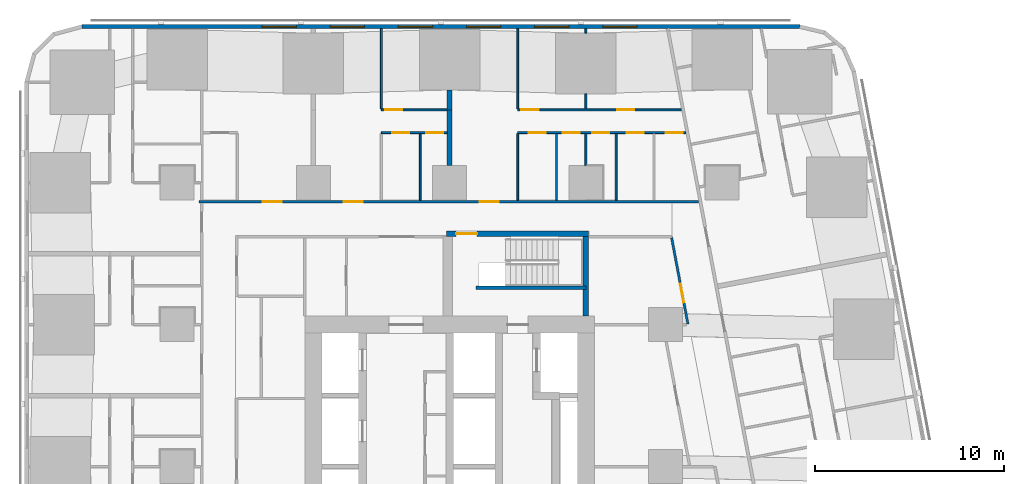
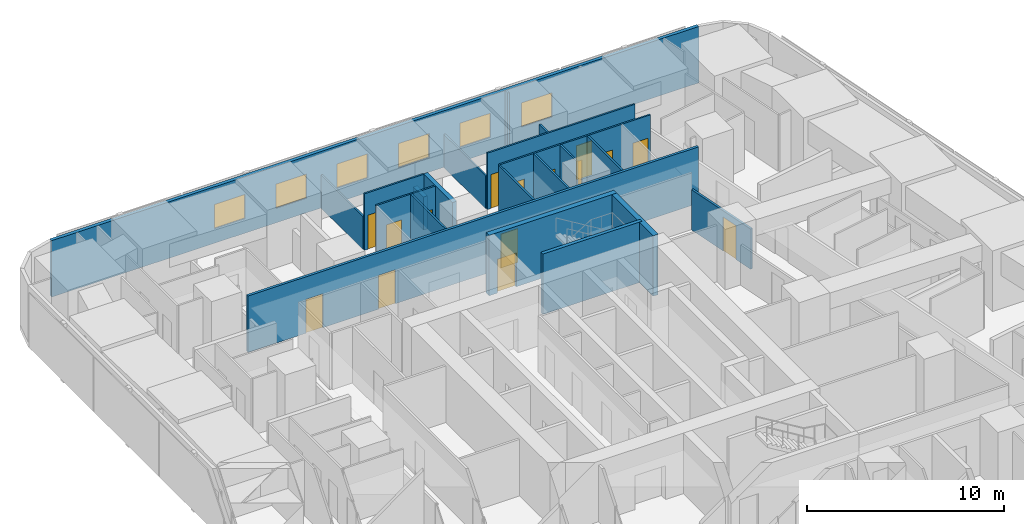
# One storey, part 13 of 18: 21 walls, 15 doors, 6 windows, 21 openings.
"""IFC4 building model written with IfcOpenShell, lengths in metres."""

from ifc_helpers import new_model, si_unit, direction, frame, frame_2d, origin, place, context, subcontext, project, spatial, rectangle, extrude, material, layer, layer_set, type_object, element, fill, save


model = new_model("IFC4")

# Units and contexts
model_context = context("Model", 3, precision=1e-05, world=origin(), true_north=direction((0.0, 1.0)))
body_context = subcontext(model_context, "Body", "Model", "MODEL_VIEW")
ifc_project = project(units=[si_unit("LENGTHUNIT", "METRE"), si_unit("AREAUNIT", "SQUARE_METRE"), si_unit("VOLUMEUNIT", "CUBIC_METRE"), si_unit("PLANEANGLEUNIT", "RADIAN"), si_unit("MASSUNIT", "GRAM", prefix="KILO")], contexts=[model_context])

# Site, building, storey
site_placement = place(None, origin())
site = spatial("IfcSite", under=ifc_project, at=site_placement, CompositionType="ELEMENT")
building_placement = place(site_placement, origin())
building = spatial("IfcBuilding", under=site, at=building_placement, Name="Sheger Commons Tower", CompositionType="ELEMENT")
storey_placement = place(building_placement, frame((0.0, 0.0, 20.0)))
storey = spatial("IfcBuildingStorey", under=building, at=storey_placement, Name="L04", CompositionType="ELEMENT", Elevation=20.0)

# Wall, openings, doors
ifc_material_1 = material(Name="Hollow concrete block masonry, skimmed both sides", Category="masonry")
ifc_layer_1 = layer(ifc_material_1, 0.14990234375)
ifc_layer_set_1 = layer_set([ifc_layer_1], Name="CORRIDOR WALL 150")
wall_type_1 = type_object("IfcWallType", Name="CORRIDOR WALL 150", PredefinedType="SOLIDWALL", material=ifc_layer_set_1)
wall_1_placement = place(storey_placement, frame((8.35009765625, 36.5, 0.0), z_axis=(0.0, 0.0, 1.0), x_axis=(1.0, 0.0, 0.0)))
wall_1 = element("IfcWall", 1, at=wall_1_placement, inside=storey, type_object=wall_type_1, Name="Corridor wall L04", PredefinedType="SOLIDWALL", context=body_context, shape_type="SweptSolid", body=[
    extrude(rectangle(XDim=26.414794921875, YDim=0.14990234375, at=frame_2d((13.20751953125, 0.0))), origin(), (0.0, 0.0, 1.0), 3.5),
])
opening_1_placement = place(wall_1_placement, frame((3.383056640625, 0.0, 0.0)))
opening_1 = element("IfcOpeningElement", 2, at=opening_1_placement, cuts=wall_1, Name="Opening D1", PredefinedType="OPENING", context=body_context, shape_type="SweptSolid", body=[
    extrude(rectangle(XDim=1.0, YDim=2.10009765625, at=frame_2d((0.5, 1.050048828125))), frame((0.0, 0.0849609375, 0.0), z_axis=(0.0, -1.0, 0.0), x_axis=(1.0, 0.0, 0.0)), (0.0, 0.0, 1.0), 0.169921875),
])
opening_2_placement = place(wall_1_placement, frame((7.64990234375, 0.0, 0.0)))
opening_2 = element("IfcOpeningElement", 3, at=opening_2_placement, cuts=wall_1, Name="Opening D1", PredefinedType="OPENING", context=body_context, shape_type="SweptSolid", body=[
    extrude(rectangle(XDim=1.0, YDim=2.10009765625, at=frame_2d((0.5, 1.050048828125))), frame((0.0, 0.0849609375, 0.0), z_axis=(0.0, -1.0, 0.0), x_axis=(1.0, 0.0, 0.0)), (0.0, 0.0, 1.0), 0.169921875),
])
opening_3_placement = place(wall_1_placement, frame((14.85693359375, 0.0, 0.0)))
opening_3 = element("IfcOpeningElement", 4, at=opening_3_placement, cuts=wall_1, Name="Opening D1", PredefinedType="OPENING", context=body_context, shape_type="SweptSolid", body=[
    extrude(rectangle(XDim=1.0, YDim=2.10009765625, at=frame_2d((0.5, 1.050048828125))), frame((0.0, 0.0849609375, 0.0), z_axis=(0.0, -1.0, 0.0), x_axis=(1.0, 0.0, 0.0)), (0.0, 0.0, 1.0), 0.169921875),
])
ifc_material_2 = material(Name="Steel door set, fire rated", Category="steel")
door_type_1 = type_object("IfcDoorType", Name="FLAT ENTRANCE DOOR 1000x2100", OperationType="NOTDEFINED", PredefinedType="DOOR", material=ifc_material_2)
door_1_placement = place(opening_1_placement, origin())
door_1 = element("IfcDoor", 5, at=door_1_placement, inside=storey, type_object=door_type_1, Name="Flat entrance door", OperationType="SINGLE_SWING_RIGHT", OverallHeight=2.10009765625, OverallWidth=1.0, PredefinedType="DOOR", context=body_context, shape_type="SweptSolid", body=[
    extrude(rectangle(XDim=1.0, YDim=2.10009765625, at=frame_2d((0.5, 1.050048828125))), frame((0.0, 0.02490234375, 0.0), z_axis=(0.0, -1.0, 0.0), x_axis=(1.0, 0.0, 0.0)), (0.0, 0.0, 1.0), 0.050048828125),
])
fill(opening_1, door_1)
door_2_placement = place(opening_2_placement, origin())
door_2 = element("IfcDoor", 6, at=door_2_placement, inside=storey, type_object=door_type_1, Name="Flat entrance door", OperationType="SINGLE_SWING_RIGHT", OverallHeight=2.10009765625, OverallWidth=1.0, PredefinedType="DOOR", context=body_context, shape_type="SweptSolid", body=[
    extrude(rectangle(XDim=1.0, YDim=2.10009765625, at=frame_2d((0.5, 1.050048828125))), frame((0.0, 0.02490234375, 0.0), z_axis=(0.0, -1.0, 0.0), x_axis=(1.0, 0.0, 0.0)), (0.0, 0.0, 1.0), 0.050048828125),
])
fill(opening_2, door_2)
door_3_placement = place(opening_3_placement, origin())
door_3 = element("IfcDoor", 7, at=door_3_placement, inside=storey, type_object=door_type_1, Name="Flat entrance door", OperationType="SINGLE_SWING_RIGHT", OverallHeight=2.10009765625, OverallWidth=1.0, PredefinedType="DOOR", context=body_context, shape_type="SweptSolid", body=[
    extrude(rectangle(XDim=1.0, YDim=2.10009765625, at=frame_2d((0.5, 1.050048828125))), frame((0.0, 0.02490234375, 0.0), z_axis=(0.0, -1.0, 0.0), x_axis=(1.0, 0.0, 0.0)), (0.0, 0.0, 1.0), 0.050048828125),
])
fill(opening_3, door_3)

# Walls
ifc_material_3 = material(Name="Dense concrete block masonry, plastered both sides (separating wall between flats)", Category="masonry")
ifc_layer_2 = layer(ifc_material_3, 0.25)
ifc_layer_set_2 = layer_set([ifc_layer_2], Name="DEMISING WALL 250")
wall_type_2 = type_object("IfcWallType", Name="DEMISING WALL 250", PredefinedType="SOLIDWALL", material=ifc_layer_set_2)
wall_2_placement = place(storey_placement, frame((21.60009765625, 41.35009765625, 0.0), z_axis=(0.0, 0.0, 1.0), x_axis=(0.0, 1.0, 0.0)))
element("IfcWall", 8, at=wall_2_placement, inside=storey, type_object=wall_type_2, Name="Demising wall L04", PredefinedType="SOLIDWALL", context=body_context, shape_type="SweptSolid", body=[
    extrude(rectangle(XDim=1.048828125, YDim=0.25, at=frame_2d((0.5244140625, 0.0))), origin(), (0.0, 0.0, 1.0), 2.050048828125),
])
wall_3_placement = place(storey_placement, frame((21.60009765625, 38.40087890625, 0.0), z_axis=(0.0, 0.0, 1.0), x_axis=(0.0, 1.0, 0.0)))
element("IfcWall", 9, at=wall_3_placement, inside=storey, type_object=wall_type_2, Name="Demising wall L04", PredefinedType="SOLIDWALL", context=body_context, shape_type="SweptSolid", body=[
    extrude(rectangle(XDim=2.94921875, YDim=0.25, at=frame_2d((1.474609375, 0.0))), origin(), (0.0, 0.0, 1.0), 3.5),
])

# Wall, openings, windows
ifc_material_4 = material(Name="Rendered concrete block masonry, dark grey", Category="masonry")
ifc_layer_3 = layer(ifc_material_4, 0.199951171875)
ifc_layer_set_3 = layer_set([ifc_layer_3], Name="FACADE WALL 200")
wall_type_3 = type_object("IfcWallType", Name="FACADE WALL 200", PredefinedType="SOLIDWALL", material=ifc_layer_set_3)
wall_4_placement = place(storey_placement, frame((40.10595703125, 45.75, 0.0), z_axis=(0.0, 0.0, 1.0), x_axis=(-1.0, 0.0, 0.0)))
wall_4 = element("IfcWall", 10, at=wall_4_placement, inside=storey, type_object=wall_type_3, Name="Facade wall L04", PredefinedType="SOLIDWALL", context=body_context, shape_type="SweptSolid", body=[
    extrude(rectangle(XDim=37.94287109375, YDim=0.199951171875, at=frame_2d((18.971435546875, 0.0))), origin(), (0.0, 0.0, 1.0), 3.5),
])
opening_4_placement = place(wall_4_placement, frame((8.60595703125, 0.0, 0.89990234375)))
opening_4 = element("IfcOpeningElement", 11, at=opening_4_placement, cuts=wall_4, Name="Opening W2", PredefinedType="OPENING", context=body_context, shape_type="SweptSolid", body=[
    extrude(rectangle(XDim=1.800048828125, YDim=1.5, at=frame_2d((0.89990234375, 0.75))), frame((0.0, 0.10986328125, 0.0), z_axis=(0.0, -1.0, 0.0), x_axis=(1.0, 0.0, 0.0)), (0.0, 0.0, 1.0), 0.219970703125),
])
opening_5_placement = place(wall_4_placement, frame((12.2060546875, 0.0, 0.89990234375)))
opening_5 = element("IfcOpeningElement", 12, at=opening_5_placement, cuts=wall_4, Name="Opening W2", PredefinedType="OPENING", context=body_context, shape_type="SweptSolid", body=[
    extrude(rectangle(XDim=1.800048828125, YDim=1.5, at=frame_2d((0.89990234375, 0.75))), frame((0.0, 0.10986328125, 0.0), z_axis=(0.0, -1.0, 0.0), x_axis=(1.0, 0.0, 0.0)), (0.0, 0.0, 1.0), 0.219970703125),
])
opening_6_placement = place(wall_4_placement, frame((15.805908203125, 0.0, 0.89990234375)))
opening_6 = element("IfcOpeningElement", 13, at=opening_6_placement, cuts=wall_4, Name="Opening W2", PredefinedType="OPENING", context=body_context, shape_type="SweptSolid", body=[
    extrude(rectangle(XDim=1.800048828125, YDim=1.5, at=frame_2d((0.89990234375, 0.75))), frame((0.0, 0.10986328125, 0.0), z_axis=(0.0, -1.0, 0.0), x_axis=(1.0, 0.0, 0.0)), (0.0, 0.0, 1.0), 0.219970703125),
])
opening_7_placement = place(wall_4_placement, frame((19.406005859375, 0.0, 0.89990234375)))
opening_7 = element("IfcOpeningElement", 14, at=opening_7_placement, cuts=wall_4, Name="Opening W2", PredefinedType="OPENING", context=body_context, shape_type="SweptSolid", body=[
    extrude(rectangle(XDim=1.800048828125, YDim=1.5, at=frame_2d((0.89990234375, 0.75))), frame((0.0, 0.10986328125, 0.0), z_axis=(0.0, -1.0, 0.0), x_axis=(1.0, 0.0, 0.0)), (0.0, 0.0, 1.0), 0.219970703125),
])
opening_8_placement = place(wall_4_placement, frame((23.006103515625, 0.0, 0.89990234375)))
opening_8 = element("IfcOpeningElement", 15, at=opening_8_placement, cuts=wall_4, Name="Opening W2", PredefinedType="OPENING", context=body_context, shape_type="SweptSolid", body=[
    extrude(rectangle(XDim=1.800048828125, YDim=1.5, at=frame_2d((0.89990234375, 0.75))), frame((0.0, 0.10986328125, 0.0), z_axis=(0.0, -1.0, 0.0), x_axis=(1.0, 0.0, 0.0)), (0.0, 0.0, 1.0), 0.219970703125),
])
opening_9_placement = place(wall_4_placement, frame((26.60595703125, 0.0, 0.89990234375)))
opening_9 = element("IfcOpeningElement", 16, at=opening_9_placement, cuts=wall_4, Name="Opening W2", PredefinedType="OPENING", context=body_context, shape_type="SweptSolid", body=[
    extrude(rectangle(XDim=1.800048828125, YDim=1.5, at=frame_2d((0.89990234375, 0.75))), frame((0.0, 0.10986328125, 0.0), z_axis=(0.0, -1.0, 0.0), x_axis=(1.0, 0.0, 0.0)), (0.0, 0.0, 1.0), 0.219970703125),
])
ifc_material_5 = material(Name="Black aluminium frame, dark tinted double glazing", Category="aluminium")
window_type = type_object("IfcWindowType", Name="WINDOW W2 1800x1500", PartitioningType="SINGLE_PANEL", PredefinedType="WINDOW", material=ifc_material_5)
window_1_placement = place(opening_4_placement, origin())
window_1 = element("IfcWindow", 17, at=window_1_placement, inside=storey, type_object=window_type, Name="Window W2 1800X1500", OverallHeight=1.5, OverallWidth=1.800048828125, PartitioningType="SINGLE_PANEL", PredefinedType="WINDOW", context=body_context, shape_type="SweptSolid", body=[
    extrude(rectangle(XDim=1.800048828125, YDim=1.5, at=frame_2d((0.89990234375, 0.75))), frame((0.0, 0.030029296875, 0.0), z_axis=(0.0, -1.0, 0.0), x_axis=(1.0, 0.0, 0.0)), (0.0, 0.0, 1.0), 0.06005859375),
])
fill(opening_4, window_1)
window_2_placement = place(opening_5_placement, origin())
window_2 = element("IfcWindow", 18, at=window_2_placement, inside=storey, type_object=window_type, Name="Window W2 1800X1500", OverallHeight=1.5, OverallWidth=1.800048828125, PartitioningType="SINGLE_PANEL", PredefinedType="WINDOW", context=body_context, shape_type="SweptSolid", body=[
    extrude(rectangle(XDim=1.800048828125, YDim=1.5, at=frame_2d((0.89990234375, 0.75))), frame((0.0, 0.030029296875, 0.0), z_axis=(0.0, -1.0, 0.0), x_axis=(1.0, 0.0, 0.0)), (0.0, 0.0, 1.0), 0.06005859375),
])
fill(opening_5, window_2)
window_3_placement = place(opening_6_placement, origin())
window_3 = element("IfcWindow", 19, at=window_3_placement, inside=storey, type_object=window_type, Name="Window W2 1800X1500", OverallHeight=1.5, OverallWidth=1.800048828125, PartitioningType="SINGLE_PANEL", PredefinedType="WINDOW", context=body_context, shape_type="SweptSolid", body=[
    extrude(rectangle(XDim=1.800048828125, YDim=1.5, at=frame_2d((0.89990234375, 0.75))), frame((0.0, 0.030029296875, 0.0), z_axis=(0.0, -1.0, 0.0), x_axis=(1.0, 0.0, 0.0)), (0.0, 0.0, 1.0), 0.06005859375),
])
fill(opening_6, window_3)
window_4_placement = place(opening_7_placement, origin())
window_4 = element("IfcWindow", 20, at=window_4_placement, inside=storey, type_object=window_type, Name="Window W2 1800X1500", OverallHeight=1.5, OverallWidth=1.800048828125, PartitioningType="SINGLE_PANEL", PredefinedType="WINDOW", context=body_context, shape_type="SweptSolid", body=[
    extrude(rectangle(XDim=1.800048828125, YDim=1.5, at=frame_2d((0.89990234375, 0.75))), frame((0.0, 0.030029296875, 0.0), z_axis=(0.0, -1.0, 0.0), x_axis=(1.0, 0.0, 0.0)), (0.0, 0.0, 1.0), 0.06005859375),
])
fill(opening_7, window_4)
window_5_placement = place(opening_8_placement, origin())
window_5 = element("IfcWindow", 21, at=window_5_placement, inside=storey, type_object=window_type, Name="Window W2 1800X1500", OverallHeight=1.5, OverallWidth=1.800048828125, PartitioningType="SINGLE_PANEL", PredefinedType="WINDOW", context=body_context, shape_type="SweptSolid", body=[
    extrude(rectangle(XDim=1.800048828125, YDim=1.5, at=frame_2d((0.89990234375, 0.75))), frame((0.0, 0.030029296875, 0.0), z_axis=(0.0, -1.0, 0.0), x_axis=(1.0, 0.0, 0.0)), (0.0, 0.0, 1.0), 0.06005859375),
])
fill(opening_8, window_5)
window_6_placement = place(opening_9_placement, origin())
window_6 = element("IfcWindow", 22, at=window_6_placement, inside=storey, type_object=window_type, Name="Window W2 1800X1500", OverallHeight=1.5, OverallWidth=1.800048828125, PartitioningType="SINGLE_PANEL", PredefinedType="WINDOW", context=body_context, shape_type="SweptSolid", body=[
    extrude(rectangle(XDim=1.800048828125, YDim=1.5, at=frame_2d((0.89990234375, 0.75))), frame((0.0, 0.030029296875, 0.0), z_axis=(0.0, -1.0, 0.0), x_axis=(1.0, 0.0, 0.0)), (0.0, 0.0, 1.0), 0.06005859375),
])
fill(opening_9, window_6)

# Wall, opening, door
ifc_material_6 = material(Name="Gypsum board on steel studs", Category="steel")
ifc_layer_4 = layer(ifc_material_6, 0.10009765625)
ifc_layer_set_4 = layer_set([ifc_layer_4], Name="PARTITION 100")
wall_type_4 = type_object("IfcWallType", Name="PARTITION 100", PredefinedType="PARTITIONING", material=ifc_layer_set_4)
wall_5_placement = place(storey_placement, frame((18.0, 41.35009765625, 0.0), z_axis=(0.0, 0.0, 1.0), x_axis=(1.0, 0.0, 0.0)))
wall_5 = element("IfcWall", 23, at=wall_5_placement, inside=storey, type_object=wall_type_4, Name="Partition L04", PredefinedType="PARTITIONING", context=body_context, shape_type="SweptSolid", body=[
    extrude(rectangle(XDim=3.47509765625, YDim=0.10009765625, at=frame_2d((1.737548828125, 0.0))), origin(), (0.0, 0.0, 1.0), 3.5),
])
opening_10_placement = place(wall_5_placement, frame((0.199951171875, 0.0, 0.0)))
opening_10 = element("IfcOpeningElement", 24, at=opening_10_placement, cuts=wall_5, Name="Opening D2", PredefinedType="OPENING", context=body_context, shape_type="SweptSolid", body=[
    extrude(rectangle(XDim=0.89990234375, YDim=2.10009765625, at=frame_2d((0.449951171875, 1.050048828125))), frame((0.0, 0.06005859375, 0.0), z_axis=(0.0, -1.0, 0.0), x_axis=(1.0, 0.0, 0.0)), (0.0, 0.0, 1.0), 0.1201171875),
])
ifc_material_7 = material(Name="Timber door set", Category="wood")
door_type_2 = type_object("IfcDoorType", Name="INTERNAL DOOR 900x2100", OperationType="NOTDEFINED", PredefinedType="DOOR", material=ifc_material_7)
door_4_placement = place(opening_10_placement, origin())
door_4 = element("IfcDoor", 25, at=door_4_placement, inside=storey, type_object=door_type_2, Name="Main bedroom door", OperationType="SINGLE_SWING_LEFT", OverallHeight=2.10009765625, OverallWidth=0.89990234375, PredefinedType="DOOR", context=body_context, shape_type="SweptSolid", body=[
    extrude(rectangle(XDim=0.89990234375, YDim=2.10009765625, at=frame_2d((0.449951171875, 1.050048828125))), frame((0.0, 0.02490234375, 0.0), z_axis=(0.0, -1.0, 0.0), x_axis=(1.0, 0.0, 0.0)), (0.0, 0.0, 1.0), 0.050048828125),
])
fill(opening_10, door_4)

# Wall, openings, doors
wall_6_placement = place(storey_placement, frame((18.0, 40.14990234375, 0.0), z_axis=(0.0, 0.0, 1.0), x_axis=(1.0, 0.0, 0.0)))
wall_6 = element("IfcWall", 26, at=wall_6_placement, inside=storey, type_object=wall_type_4, Name="Partition L04", PredefinedType="PARTITIONING", context=body_context, shape_type="SweptSolid", body=[
    extrude(rectangle(XDim=3.47509765625, YDim=0.10009765625, at=frame_2d((1.737548828125, 0.0))), origin(), (0.0, 0.0, 1.0), 3.5),
])
opening_11_placement = place(wall_6_placement, frame((0.574951171875, 0.0, 0.0)))
opening_11 = element("IfcOpeningElement", 27, at=opening_11_placement, cuts=wall_6, Name="Opening D2", PredefinedType="OPENING", context=body_context, shape_type="SweptSolid", body=[
    extrude(rectangle(XDim=0.89990234375, YDim=2.10009765625, at=frame_2d((0.449951171875, 1.050048828125))), frame((0.0, 0.06005859375, 0.0), z_axis=(0.0, -1.0, 0.0), x_axis=(1.0, 0.0, 0.0)), (0.0, 0.0, 1.0), 0.1201171875),
])
opening_12_placement = place(wall_6_placement, frame((2.375, 0.0, 0.0)))
opening_12 = element("IfcOpeningElement", 28, at=opening_12_placement, cuts=wall_6, Name="Opening D2", PredefinedType="OPENING", context=body_context, shape_type="SweptSolid", body=[
    extrude(rectangle(XDim=0.89990234375, YDim=2.10009765625, at=frame_2d((0.449951171875, 1.050048828125))), frame((0.0, 0.06005859375, 0.0), z_axis=(0.0, -1.0, 0.0), x_axis=(1.0, 0.0, 0.0)), (0.0, 0.0, 1.0), 0.1201171875),
])
door_5_placement = place(opening_11_placement, origin())
door_5 = element("IfcDoor", 29, at=door_5_placement, inside=storey, type_object=door_type_2, Name="Bathroom door", OperationType="SINGLE_SWING_RIGHT", OverallHeight=2.10009765625, OverallWidth=0.89990234375, PredefinedType="DOOR", context=body_context, shape_type="SweptSolid", body=[
    extrude(rectangle(XDim=0.89990234375, YDim=2.10009765625, at=frame_2d((0.449951171875, 1.050048828125))), frame((0.0, 0.02490234375, 0.0), z_axis=(0.0, -1.0, 0.0), x_axis=(1.0, 0.0, 0.0)), (0.0, 0.0, 1.0), 0.050048828125),
])
fill(opening_11, door_5)
door_6_placement = place(opening_12_placement, origin())
door_6 = element("IfcDoor", 30, at=door_6_placement, inside=storey, type_object=door_type_2, Name="Store door", OperationType="SINGLE_SWING_LEFT", OverallHeight=2.10009765625, OverallWidth=0.89990234375, PredefinedType="DOOR", context=body_context, shape_type="SweptSolid", body=[
    extrude(rectangle(XDim=0.89990234375, YDim=2.10009765625, at=frame_2d((0.449951171875, 1.050048828125))), frame((0.0, 0.02490234375, 0.0), z_axis=(0.0, -1.0, 0.0), x_axis=(1.0, 0.0, 0.0)), (0.0, 0.0, 1.0), 0.050048828125),
])
fill(opening_12, door_6)

# Walls
wall_7_placement = place(storey_placement, frame((18.0, 41.39990234375, 0.0), z_axis=(0.0, 0.0, 1.0), x_axis=(0.0, 1.0, 0.0)))
element("IfcWall", 31, at=wall_7_placement, inside=storey, type_object=wall_type_4, Name="Partition L04", PredefinedType="PARTITIONING", context=body_context, shape_type="SweptSolid", body=[
    extrude(rectangle(XDim=4.25, YDim=0.10009765625, at=frame_2d((2.125, 0.0))), origin(), (0.0, 0.0, 1.0), 2.050048828125),
])
wall_8_placement = place(storey_placement, frame((20.050048828125, 36.574951171875, 0.0), z_axis=(0.0, 0.0, 1.0), x_axis=(0.0, 1.0, 0.0)))
element("IfcWall", 32, at=wall_8_placement, inside=storey, type_object=wall_type_4, Name="Partition L04", PredefinedType="PARTITIONING", context=body_context, shape_type="SweptSolid", body=[
    extrude(rectangle(XDim=3.525146484375, YDim=0.10009765625, at=frame_2d((1.7626953125, 0.0))), origin(), (0.0, 0.0, 1.0), 3.5),
])

# Wall, openings, doors
wall_9_placement = place(storey_placement, frame((25.199951171875, 41.35009765625, 0.0), z_axis=(0.0, 0.0, 1.0), x_axis=(1.0, 0.0, 0.0)))
wall_9 = element("IfcWall", 33, at=wall_9_placement, inside=storey, type_object=wall_type_4, Name="Partition L04", PredefinedType="PARTITIONING", context=body_context, shape_type="SweptSolid", body=[
    extrude(rectangle(XDim=8.653076171875, YDim=0.10009765625, at=frame_2d((4.32666015625, 0.0))), origin(), (0.0, 0.0, 1.0), 3.5),
])
opening_13_placement = place(wall_9_placement, frame((0.199951171875, 0.0, 0.0)))
opening_13 = element("IfcOpeningElement", 34, at=opening_13_placement, cuts=wall_9, Name="Opening D2", PredefinedType="OPENING", context=body_context, shape_type="SweptSolid", body=[
    extrude(rectangle(XDim=0.89990234375, YDim=2.10009765625, at=frame_2d((0.449951171875, 1.050048828125))), frame((0.0, 0.06005859375, 0.0), z_axis=(0.0, -1.0, 0.0), x_axis=(1.0, 0.0, 0.0)), (0.0, 0.0, 1.0), 0.1201171875),
])
opening_14_placement = place(wall_9_placement, frame((5.25, 0.0, 0.0)))
opening_14 = element("IfcOpeningElement", 35, at=opening_14_placement, cuts=wall_9, Name="Opening D2", PredefinedType="OPENING", context=body_context, shape_type="SweptSolid", body=[
    extrude(rectangle(XDim=0.89990234375, YDim=2.10009765625, at=frame_2d((0.449951171875, 1.050048828125))), frame((0.0, 0.06005859375, 0.0), z_axis=(0.0, -1.0, 0.0), x_axis=(1.0, 0.0, 0.0)), (0.0, 0.0, 1.0), 0.1201171875),
])
door_7_placement = place(opening_13_placement, origin())
door_7 = element("IfcDoor", 36, at=door_7_placement, inside=storey, type_object=door_type_2, Name="Main bedroom door", OperationType="SINGLE_SWING_LEFT", OverallHeight=2.10009765625, OverallWidth=0.89990234375, PredefinedType="DOOR", context=body_context, shape_type="SweptSolid", body=[
    extrude(rectangle(XDim=0.89990234375, YDim=2.10009765625, at=frame_2d((0.449951171875, 1.050048828125))), frame((0.0, 0.02490234375, 0.0), z_axis=(0.0, -1.0, 0.0), x_axis=(1.0, 0.0, 0.0)), (0.0, 0.0, 1.0), 0.050048828125),
])
fill(opening_13, door_7)
door_8_placement = place(opening_14_placement, origin())
door_8 = element("IfcDoor", 37, at=door_8_placement, inside=storey, type_object=door_type_2, Name="Bedroom 2 door", OperationType="SINGLE_SWING_LEFT", OverallHeight=2.10009765625, OverallWidth=0.89990234375, PredefinedType="DOOR", context=body_context, shape_type="SweptSolid", body=[
    extrude(rectangle(XDim=0.89990234375, YDim=2.10009765625, at=frame_2d((0.449951171875, 1.050048828125))), frame((0.0, 0.02490234375, 0.0), z_axis=(0.0, -1.0, 0.0), x_axis=(1.0, 0.0, 0.0)), (0.0, 0.0, 1.0), 0.050048828125),
])
fill(opening_14, door_8)

wall_10_placement = place(storey_placement, frame((25.199951171875, 40.14990234375, 0.0), z_axis=(0.0, 0.0, 1.0), x_axis=(1.0, 0.0, 0.0)))
wall_10 = element("IfcWall", 38, at=wall_10_placement, inside=storey, type_object=wall_type_4, Name="Partition L04", PredefinedType="PARTITIONING", context=body_context, shape_type="SweptSolid", body=[
    extrude(rectangle(XDim=8.880126953125, YDim=0.10009765625, at=frame_2d((4.43994140625, 0.0))), origin(), (0.0, 0.0, 1.0), 3.5),
])
opening_15_placement = place(wall_10_placement, frame((0.574951171875, 0.0, 0.0)))
opening_15 = element("IfcOpeningElement", 39, at=opening_15_placement, cuts=wall_10, Name="Opening D2", PredefinedType="OPENING", context=body_context, shape_type="SweptSolid", body=[
    extrude(rectangle(XDim=0.89990234375, YDim=2.10009765625, at=frame_2d((0.449951171875, 1.050048828125))), frame((0.0, 0.06005859375, 0.0), z_axis=(0.0, -1.0, 0.0), x_axis=(1.0, 0.0, 0.0)), (0.0, 0.0, 1.0), 0.1201171875),
])
opening_16_placement = place(wall_10_placement, frame((3.949951171875, 0.0, 0.0)))
opening_16 = element("IfcOpeningElement", 40, at=opening_16_placement, cuts=wall_10, Name="Opening D2", PredefinedType="OPENING", context=body_context, shape_type="SweptSolid", body=[
    extrude(rectangle(XDim=0.89990234375, YDim=2.10009765625, at=frame_2d((0.449951171875, 1.050048828125))), frame((0.0, 0.06005859375, 0.0), z_axis=(0.0, -1.0, 0.0), x_axis=(1.0, 0.0, 0.0)), (0.0, 0.0, 1.0), 0.1201171875),
])
opening_17_placement = place(wall_10_placement, frame((7.830078125, 0.0, 0.0)))
opening_17 = element("IfcOpeningElement", 41, at=opening_17_placement, cuts=wall_10, Name="Opening D2", PredefinedType="OPENING", context=body_context, shape_type="SweptSolid", body=[
    extrude(rectangle(XDim=0.89990234375, YDim=2.10009765625, at=frame_2d((0.449951171875, 1.050048828125))), frame((0.0, 0.06005859375, 0.0), z_axis=(0.0, -1.0, 0.0), x_axis=(1.0, 0.0, 0.0)), (0.0, 0.0, 1.0), 0.1201171875),
])
opening_18_placement = place(wall_10_placement, frame((2.375, 0.0, 0.0)))
opening_18 = element("IfcOpeningElement", 42, at=opening_18_placement, cuts=wall_10, Name="Opening D2", PredefinedType="OPENING", context=body_context, shape_type="SweptSolid", body=[
    extrude(rectangle(XDim=0.89990234375, YDim=2.10009765625, at=frame_2d((0.449951171875, 1.050048828125))), frame((0.0, 0.06005859375, 0.0), z_axis=(0.0, -1.0, 0.0), x_axis=(1.0, 0.0, 0.0)), (0.0, 0.0, 1.0), 0.1201171875),
])
opening_19_placement = place(wall_10_placement, frame((5.75, 0.0, 0.0)))
opening_19 = element("IfcOpeningElement", 43, at=opening_19_placement, cuts=wall_10, Name="Opening D2", PredefinedType="OPENING", context=body_context, shape_type="SweptSolid", body=[
    extrude(rectangle(XDim=0.89990234375, YDim=2.10009765625, at=frame_2d((0.449951171875, 1.050048828125))), frame((0.0, 0.06005859375, 0.0), z_axis=(0.0, -1.0, 0.0), x_axis=(1.0, 0.0, 0.0)), (0.0, 0.0, 1.0), 0.1201171875),
])
door_9_placement = place(opening_15_placement, origin())
door_9 = element("IfcDoor", 44, at=door_9_placement, inside=storey, type_object=door_type_2, Name="Bathroom door", OperationType="SINGLE_SWING_RIGHT", OverallHeight=2.10009765625, OverallWidth=0.89990234375, PredefinedType="DOOR", context=body_context, shape_type="SweptSolid", body=[
    extrude(rectangle(XDim=0.89990234375, YDim=2.10009765625, at=frame_2d((0.449951171875, 1.050048828125))), frame((0.0, 0.02490234375, 0.0), z_axis=(0.0, -1.0, 0.0), x_axis=(1.0, 0.0, 0.0)), (0.0, 0.0, 1.0), 0.050048828125),
])
fill(opening_15, door_9)
door_10_placement = place(opening_16_placement, origin())
door_10 = element("IfcDoor", 45, at=door_10_placement, inside=storey, type_object=door_type_2, Name="Shower room door", OperationType="SINGLE_SWING_LEFT", OverallHeight=2.10009765625, OverallWidth=0.89990234375, PredefinedType="DOOR", context=body_context, shape_type="SweptSolid", body=[
    extrude(rectangle(XDim=0.89990234375, YDim=2.10009765625, at=frame_2d((0.449951171875, 1.050048828125))), frame((0.0, 0.02490234375, 0.0), z_axis=(0.0, -1.0, 0.0), x_axis=(1.0, 0.0, 0.0)), (0.0, 0.0, 1.0), 0.050048828125),
])
fill(opening_16, door_10)
door_11_placement = place(opening_17_placement, origin())
door_11 = element("IfcDoor", 46, at=door_11_placement, inside=storey, type_object=door_type_2, Name="Laundry room door", OperationType="SINGLE_SWING_LEFT", OverallHeight=2.10009765625, OverallWidth=0.89990234375, PredefinedType="DOOR", context=body_context, shape_type="SweptSolid", body=[
    extrude(rectangle(XDim=0.89990234375, YDim=2.10009765625, at=frame_2d((0.449951171875, 1.050048828125))), frame((0.0, 0.02490234375, 0.0), z_axis=(0.0, -1.0, 0.0), x_axis=(1.0, 0.0, 0.0)), (0.0, 0.0, 1.0), 0.050048828125),
])
fill(opening_17, door_11)
door_12_placement = place(opening_18_placement, origin())
door_12 = element("IfcDoor", 47, at=door_12_placement, inside=storey, type_object=door_type_2, Name="Store door", OperationType="SINGLE_SWING_RIGHT", OverallHeight=2.10009765625, OverallWidth=0.89990234375, PredefinedType="DOOR", context=body_context, shape_type="SweptSolid", body=[
    extrude(rectangle(XDim=0.89990234375, YDim=2.10009765625, at=frame_2d((0.449951171875, 1.050048828125))), frame((0.0, 0.02490234375, 0.0), z_axis=(0.0, -1.0, 0.0), x_axis=(1.0, 0.0, 0.0)), (0.0, 0.0, 1.0), 0.050048828125),
])
fill(opening_18, door_12)
door_13_placement = place(opening_19_placement, origin())
door_13 = element("IfcDoor", 48, at=door_13_placement, inside=storey, type_object=door_type_2, Name="Store door", OperationType="SINGLE_SWING_RIGHT", OverallHeight=2.10009765625, OverallWidth=0.89990234375, PredefinedType="DOOR", context=body_context, shape_type="SweptSolid", body=[
    extrude(rectangle(XDim=0.89990234375, YDim=2.10009765625, at=frame_2d((0.449951171875, 1.050048828125))), frame((0.0, 0.02490234375, 0.0), z_axis=(0.0, -1.0, 0.0), x_axis=(1.0, 0.0, 0.0)), (0.0, 0.0, 1.0), 0.050048828125),
])
fill(opening_19, door_13)

# Walls
wall_11_placement = place(storey_placement, frame((25.199951171875, 41.39990234375, 0.0), z_axis=(0.0, 0.0, 1.0), x_axis=(0.0, 1.0, 0.0)))
element("IfcWall", 49, at=wall_11_placement, inside=storey, type_object=wall_type_4, Name="Partition L04", PredefinedType="PARTITIONING", context=body_context, shape_type="SweptSolid", body=[
    extrude(rectangle(XDim=4.25, YDim=0.10009765625, at=frame_2d((2.125, 0.0))), origin(), (0.0, 0.0, 1.0), 2.050048828125),
])
wall_12_placement = place(storey_placement, frame((28.800048828125, 41.39990234375, 0.0), z_axis=(0.0, 0.0, 1.0), x_axis=(0.0, 1.0, 0.0)))
element("IfcWall", 50, at=wall_12_placement, inside=storey, type_object=wall_type_4, Name="Partition L04", PredefinedType="PARTITIONING", context=body_context, shape_type="SweptSolid", body=[
    extrude(rectangle(XDim=0.799072265625, YDim=0.10009765625, at=frame_2d((0.3994140625, 0.0))), origin(), (0.0, 0.0, 1.0), 3.5),
])
wall_13_placement = place(storey_placement, frame((28.800048828125, 45.40087890625, 0.0), z_axis=(0.0, 0.0, 1.0), x_axis=(0.0, 1.0, 0.0)))
element("IfcWall", 51, at=wall_13_placement, inside=storey, type_object=wall_type_4, Name="Partition L04", PredefinedType="PARTITIONING", context=body_context, shape_type="SweptSolid", body=[
    extrude(rectangle(XDim=0.2490234375, YDim=0.10009765625, at=frame_2d((0.12451171875, 0.0))), origin(), (0.0, 0.0, 1.0), 3.5),
])
wall_14_placement = place(storey_placement, frame((25.199951171875, 36.574951171875, 0.0), z_axis=(0.0, 0.0, 1.0), x_axis=(0.0, 1.0, 0.0)))
element("IfcWall", 52, at=wall_14_placement, inside=storey, type_object=wall_type_4, Name="Partition L04", PredefinedType="PARTITIONING", context=body_context, shape_type="SweptSolid", body=[
    extrude(rectangle(XDim=3.525146484375, YDim=0.10009765625, at=frame_2d((1.7626953125, 0.0))), origin(), (0.0, 0.0, 1.0), 3.5),
])
wall_15_placement = place(storey_placement, frame((28.800048828125, 38.40087890625, 0.0), z_axis=(0.0, 0.0, 1.0), x_axis=(0.0, 1.0, 0.0)))
element("IfcWall", 53, at=wall_15_placement, inside=storey, type_object=wall_type_4, Name="Partition L04", PredefinedType="PARTITIONING", context=body_context, shape_type="SweptSolid", body=[
    extrude(rectangle(XDim=1.69921875, YDim=0.10009765625, at=frame_2d((0.849609375, 0.0))), origin(), (0.0, 0.0, 1.0), 3.5),
])
for number, where, z_axis, x_axis, name in (
    (54, (27.25, 36.574951171875, 0.0), (0.0, 0.0, 1.0), (0.0, 1.0, 0.0), "Partition L04"),
    (55, (30.39990234375, 36.574951171875, 0.0), (0.0, 0.0, 1.0), (0.0, 1.0, 0.0), "Partition L04"),
):
    element("IfcWall", number, at=place(storey_placement, frame(where, z_axis=z_axis, x_axis=x_axis)), inside=storey, type_object=wall_type_4, Name=name, PredefinedType="PARTITIONING", context=body_context, shape_type="SweptSolid", body=[
        extrude(rectangle(XDim=3.525146484375, YDim=0.10009765625, at=frame_2d((1.7626953125, 0.0))), origin(), (0.0, 0.0, 1.0), 3.5),
    ])

# Wall, opening, door
ifc_material_8 = material(Name="Gypsum board on steel studs, two layers each side, fire rated", Category="steel")
ifc_layer_5 = layer(ifc_material_8, 0.125)
ifc_layer_set_5 = layer_set([ifc_layer_5], Name="SERVICE WALL 125")
wall_type_5 = type_object("IfcWallType", Name="SERVICE WALL 125", PredefinedType="PARTITIONING", material=ifc_layer_set_5)
wall_16_placement = place(storey_placement, frame((34.193115234375, 30.0400390625, 0.0), z_axis=(0.0, 0.0, 1.0), x_axis=(-0.185626015863, 0.982620467034, 0.0)))
wall_16 = element("IfcWall", 56, at=wall_16_placement, inside=storey, type_object=wall_type_5, Name="Service room wall L04", PredefinedType="PARTITIONING", context=body_context, shape_type="SweptSolid", body=[
    extrude(rectangle(XDim=4.628173828125, YDim=0.125, at=frame_2d((2.31396484375, 0.0))), origin(), (0.0, 0.0, 1.0), 2.5),
])
opening_20_placement = place(wall_16_placement, frame((1.14990234375, 0.0, 0.0)))
opening_20 = element("IfcOpeningElement", 57, at=opening_20_placement, cuts=wall_16, Name="Opening D4", PredefinedType="OPENING", context=body_context, shape_type="SweptSolid", body=[
    extrude(rectangle(XDim=1.0, YDim=2.10009765625, at=frame_2d((0.5, 1.050048828125))), frame((0.0, 0.072509765625, 0.0), z_axis=(0.0, -1.0, 0.0), x_axis=(1.0, 0.0, 0.0)), (0.0, 0.0, 1.0), 0.14501953125),
])
ifc_material_9 = material(Name="Steel door set, fire rated", Category="steel")
door_type_3 = type_object("IfcDoorType", Name="SERVICE DOOR 1000x2100", OperationType="NOTDEFINED", PredefinedType="DOOR", material=ifc_material_9)
door_14_placement = place(opening_20_placement, origin())
door_14 = element("IfcDoor", 58, at=door_14_placement, inside=storey, type_object=door_type_3, Name="Linen store door", OperationType="SINGLE_SWING_LEFT", OverallHeight=2.10009765625, OverallWidth=1.0, PredefinedType="DOOR", context=body_context, shape_type="SweptSolid", body=[
    extrude(rectangle(XDim=1.0, YDim=2.10009765625, at=frame_2d((0.5, 1.050048828125))), frame((0.0, 0.02490234375, 0.0), z_axis=(0.0, -1.0, 0.0), x_axis=(1.0, 0.0, 0.0)), (0.0, 0.0, 1.0), 0.050048828125),
])
fill(opening_20, door_14)

ifc_material_10 = material(Name="Concrete C50/60", Category="concrete")
ifc_layer_6 = layer(ifc_material_10, 0.300048828125)
ifc_layer_set_6 = layer_set([ifc_layer_6], Name="STAIR CORE WALL 300")
wall_type_6 = type_object("IfcWallType", Name="STAIR CORE WALL 300", PredefinedType="SHEAR", material=ifc_layer_set_6)
wall_17_placement = place(storey_placement, frame((21.449951171875, 34.800048828125, 0.0), z_axis=(0.0, 0.0, 1.0), x_axis=(1.0, 0.0, 0.0)))
wall_17 = element("IfcWall", 59, at=wall_17_placement, inside=storey, type_object=wall_type_6, Name="STW-L04-S2N", PredefinedType="SHEAR", context=body_context, shape_type="SweptSolid", body=[
    extrude(rectangle(XDim=7.5, YDim=0.300048828125, at=frame_2d((3.75, 0.0))), origin(), (0.0, 0.0, 1.0), 3.75),
])
opening_21_placement = place(wall_17_placement, frame((0.5, 0.0, 0.0)))
opening_21 = element("IfcOpeningElement", 60, at=opening_21_placement, cuts=wall_17, Name="Opening D5", PredefinedType="OPENING", context=body_context, shape_type="SweptSolid", body=[
    extrude(rectangle(XDim=1.10009765625, YDim=2.10009765625, at=frame_2d((0.550048828125, 1.050048828125))), frame((0.0, 0.159912109375, 0.0), z_axis=(0.0, -1.0, 0.0), x_axis=(1.0, 0.0, 0.0)), (0.0, 0.0, 1.0), 0.320068359375),
])
ifc_material_11 = material(Name="Steel door set, fire rated", Category="steel")
door_type_4 = type_object("IfcDoorType", Name="STAIR DOOR 1100x2100", OperationType="NOTDEFINED", PredefinedType="DOOR", material=ifc_material_11)
door_15_placement = place(opening_21_placement, origin())
door_15 = element("IfcDoor", 61, at=door_15_placement, inside=storey, type_object=door_type_4, Name="Stair S2 door", OperationType="SINGLE_SWING_RIGHT", OverallHeight=2.10009765625, OverallWidth=1.10009765625, PredefinedType="DOOR", context=body_context, shape_type="SweptSolid", body=[
    extrude(rectangle(XDim=1.10009765625, YDim=2.10009765625, at=frame_2d((0.550048828125, 1.050048828125))), frame((0.0, 0.02490234375, 0.0), z_axis=(0.0, -1.0, 0.0), x_axis=(1.0, 0.0, 0.0)), (0.0, 0.0, 1.0), 0.050048828125),
])
fill(opening_21, door_15)

# Walls
wall_18_placement = place(storey_placement, frame((28.800048828125, 30.449951171875, 0.0), z_axis=(0.0, 0.0, 1.0), x_axis=(0.0, 1.0, 0.0)))
element("IfcWall", 62, at=wall_18_placement, inside=storey, type_object=wall_type_6, Name="STW-L04-S2E", PredefinedType="SHEAR", context=body_context, shape_type="SweptSolid", body=[
    extrude(rectangle(XDim=4.199951171875, YDim=0.300048828125, at=frame_2d((2.10009765625, 0.0))), origin(), (0.0, 0.0, 1.0), 3.75),
])
ifc_material_12 = material(Name="Concrete C50/60", Category="concrete")
ifc_layer_7 = layer(ifc_material_12, 0.199951171875)
ifc_layer_set_7 = layer_set([ifc_layer_7], Name="STAIR SPINE WALL 200")
wall_type_7 = type_object("IfcWallType", Name="STAIR SPINE WALL 200", PredefinedType="SHEAR", material=ifc_layer_set_7)
wall_19_placement = place(storey_placement, frame((23.0, 31.949951171875, 0.0), z_axis=(0.0, 0.0, 1.0), x_axis=(1.0, 0.0, 0.0)))
element("IfcWall", 63, at=wall_19_placement, inside=storey, type_object=wall_type_7, Name="Stair spine wall L04", PredefinedType="SHEAR", context=body_context, shape_type="SweptSolid", body=[
    extrude(rectangle(XDim=5.800048828125, YDim=0.199951171875, at=frame_2d((2.89990234375, 0.0))), origin(), (0.0, 0.0, 1.0), 3.75),
])

save(model, "model.ifc")
